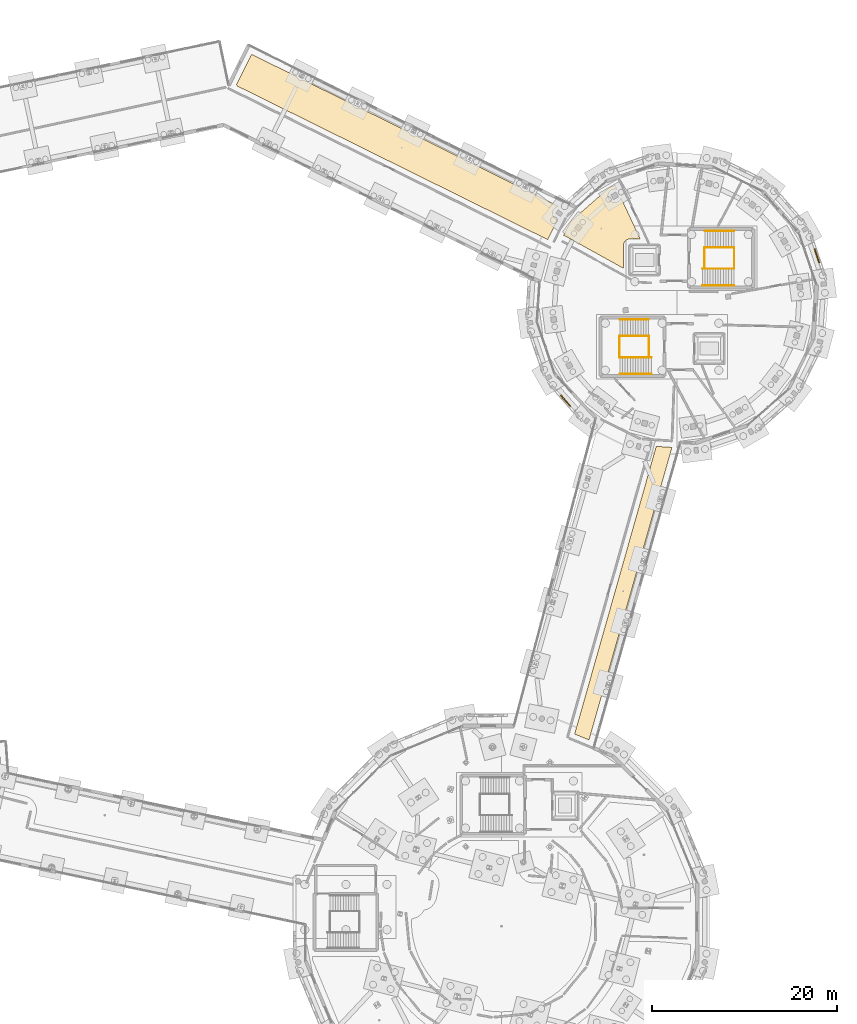
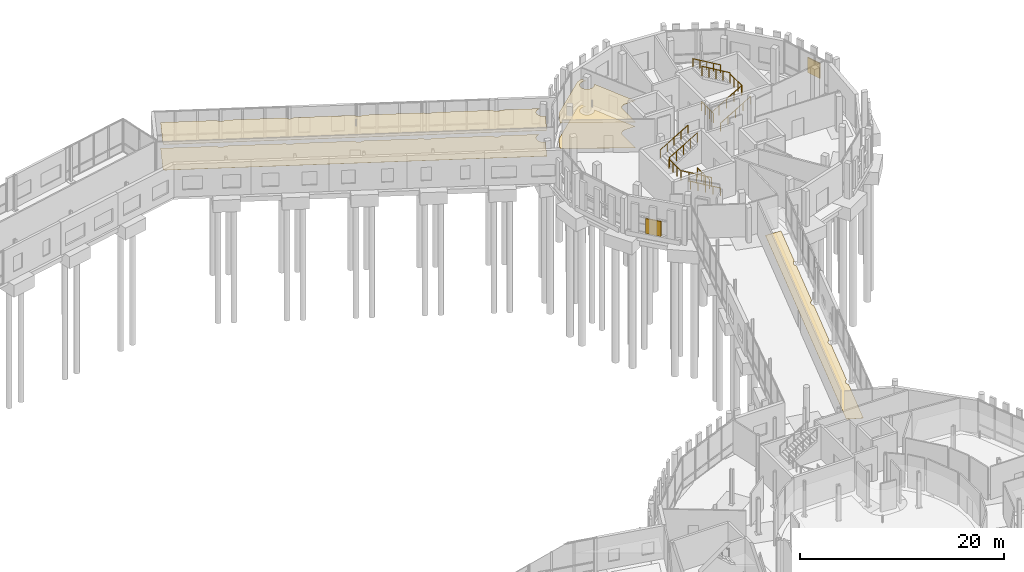
# One storey, part 112 of 113: 12 railings, 5 coverings, 2 shading devices.
"""IFC4 building model written with IfcOpenShell, lengths in metres."""

from ifc_helpers import new_model, si_unit, direction, frame, origin, origin_2d, place, context, subcontext, project, spatial, polyline, rectangle, circle, outline, extrude, material, layer, layer_set, type_object, element, save


model = new_model("IFC4")

# Units and contexts
model_context = context("Model", 3, precision=1e-05, world=origin(), true_north=direction((0.0, 1.0)))
body_context = subcontext(model_context, "Body", "Model", "MODEL_VIEW")
ifc_project = project(units=[si_unit("LENGTHUNIT", "METRE"), si_unit("AREAUNIT", "SQUARE_METRE"), si_unit("VOLUMEUNIT", "CUBIC_METRE"), si_unit("PLANEANGLEUNIT", "RADIAN"), si_unit("MASSUNIT", "GRAM", prefix="KILO")], contexts=[model_context])

# Site, building, storey
site_placement = place(None, origin())
site = spatial("IfcSite", under=ifc_project, at=site_placement, CompositionType="ELEMENT")
building_placement = place(site_placement, origin())
building = spatial("IfcBuilding", under=site, at=building_placement, Name="Wrenclough Park School", CompositionType="ELEMENT")
storey_placement = place(building_placement, origin())
storey = spatial("IfcBuildingStorey", under=building, at=storey_placement, Name="L00", CompositionType="ELEMENT", Elevation=0.0)

# Shading devices
ifc_material_1 = material(Name="Perforated Manchester multi-stock and Staffordshire blue-grey brick screen", Category="masonry")
ifc_layer_1 = layer(ifc_material_1, 0.114990234375)
ifc_layer_set_1 = layer_set([ifc_layer_1], Name="Perforated Manchester multi-stock and Staffordshire blue-grey brick screen")
shading_device_type_1 = type_object("IfcShadingDeviceType", Name="ENV-BS-01", PredefinedType="USERDEFINED", material=ifc_layer_set_1)
shading_device_1_placement = place(storey_placement, frame((162.45458984375, 82.936767578125, 0.52978515625), z_axis=(0.0, 0.0, 1.0), x_axis=(0.659348912876, -0.751837090791, 0.0)))
element("IfcShadingDevice", 1, at=shading_device_1_placement, inside=storey, type_object=shading_device_type_1, Name="D5 L00 acoustic open-bond brick baffle 012", ObjectType="PERFORATED BRICK SCREEN", PredefinedType="USERDEFINED", context=body_context, shape_type="SweptSolid", body=[
    extrude(rectangle(XDim=1.60009765625, YDim=0.114990234375, at=origin_2d()), origin(), (0.0, 0.0, 1.0), 1.800048828125),
])
ifc_layer_2 = layer(ifc_material_1, 0.114990234375)
ifc_layer_set_2 = layer_set([ifc_layer_2], Name="Perforated Manchester multi-stock and Staffordshire blue-grey brick screen")
shading_device_type_2 = type_object("IfcShadingDeviceType", Name="ENV-BS-03", PredefinedType="USERDEFINED", material=ifc_layer_set_2)
shading_device_2_placement = place(storey_placement, frame((189.6708984375, 98.649658203125, 0.52978515625), z_axis=(0.0, 0.0, 1.0), x_axis=(-0.321426842345, 0.946934414318, 0.0)))
element("IfcShadingDevice", 2, at=shading_device_2_placement, inside=storey, type_object=shading_device_type_2, Name="D5 L00 acoustic open-bond brick baffle 011", ObjectType="PERFORATED BRICK SCREEN", PredefinedType="USERDEFINED", context=body_context, shape_type="SweptSolid", body=[
    extrude(rectangle(XDim=1.60009765625, YDim=0.114990234375, at=origin_2d()), origin(), (0.0, 0.0, 1.0), 1.800048828125),
])

# Coverings
ifc_material_2 = material(Name="Class A mineral-fibre acoustic ceiling raft", Category="gypsum")
ifc_layer_3 = layer(ifc_material_2, 0.044921875)
ifc_layer_set_3 = layer_set([ifc_layer_3], Name="Class A mineral-fibre acoustic ceiling raft")
covering_type_1 = type_object("IfcCoveringType", Name="INT-COV-CEIL", PredefinedType="CEILING", material=ifc_layer_set_3)
covering_1_placement = place(storey_placement, frame((0.0, 0.0, 3.054931640625)))
element("IfcCovering", 3, at=covering_1_placement, inside=storey, type_object=covering_type_1, Name="Main Reception and Administration Office acoustic ceiling raft", PredefinedType="CEILING", context=body_context, shape_type="SweptSolid", body=[
    extrude(outline(polyline([(162.969970703125, 102.347412109375), (162.237548828125, 100.862060546875), (162.343994140625, 100.8251953125), (162.40283203125, 100.79638671875), (168.72998046875, 97.28515625), (168.72998046875, 99.820068359375), (168.742431640625, 99.94677734375), (168.779541015625, 100.068603515625), (168.806884765625, 100.12646484375), (168.87744140625, 100.232421875), (168.92041015625, 100.279541015625), (169.018798828125, 100.360595703125), (169.13134765625, 100.42041015625), (169.253173828125, 100.45751953125), (169.3798828125, 100.469970703125), (170.53271484375, 100.469970703125), (168.45751953125, 104.92041015625), (168.409912109375, 104.80859375), (168.33154296875, 104.691162109375), (168.231689453125, 104.59130859375), (168.175048828125, 104.54931640625), (168.050537109375, 104.48291015625), (167.98388671875, 104.458984375), (167.91552734375, 104.44189453125), (167.77490234375, 104.427978515625), (167.634521484375, 104.44189453125), (167.56591796875, 104.458984375), (167.49951171875, 104.48291015625), (167.375, 104.54931640625), (167.318115234375, 104.59130859375), (167.218505859375, 104.691162109375), (167.139892578125, 104.80859375), (167.10986328125, 104.87255859375), (167.06884765625, 105.007568359375), (167.05859375, 105.077392578125), (167.054931640625, 105.14794921875), (167.06884765625, 105.28857421875), (167.0859375, 105.35693359375), (167.139892578125, 105.4873046875), (167.17626953125, 105.548095703125), (167.265869140625, 105.656982421875), (167.318115234375, 105.70458984375), (167.435546875, 105.782958984375), (167.49951171875, 105.813232421875), (167.634521484375, 105.854248046875), (167.77490234375, 105.867919921875), (167.845703125, 105.864501953125), (167.91552734375, 105.854248046875), (168.039306640625, 105.8173828125), (167.82080078125, 106.28564453125), (167.2333984375, 106.086181640625), (162.969970703125, 102.347412109375)])), origin(), (0.0, 0.0, 1.0), 0.045166015625),
])
covering_2_placement = place(storey_placement, frame((0.0, 0.0, 3.054931640625)))
element("IfcCovering", 4, at=covering_2_placement, inside=storey, type_object=covering_type_1, Name="Sixth Form Tutorial Classroom L00 acoustic ceiling raft", PredefinedType="CEILING", context=body_context, shape_type="SweptSolid", body=[
    extrude(outline(polyline([(126.864501953125, 117.08837890625), (126.89208984375, 117.0361328125), (160.505859375, 100.402587890625), (161.578857421875, 102.576904296875), (161.491455078125, 102.605712890625), (161.366943359375, 102.67236328125), (161.2578125, 102.761962890625), (161.168212890625, 102.87109375), (161.101806640625, 102.99560546875), (161.060791015625, 103.130615234375), (161.047119140625, 103.27099609375), (161.050537109375, 103.341552734375), (161.077880859375, 103.47998046875), (161.132080078125, 103.6103515625), (161.168212890625, 103.6708984375), (161.2578125, 103.780029296875), (161.366943359375, 103.86962890625), (161.491455078125, 103.936279296875), (161.62646484375, 103.977294921875), (161.755615234375, 103.990478515625), (158.351806640625, 105.6748046875), (158.23779296875, 105.63818359375), (158.131103515625, 105.627685546875), (158.024169921875, 105.63818359375), (157.921630859375, 105.66943359375), (157.873046875, 105.6923828125), (157.78369140625, 105.751953125), (157.7080078125, 105.827880859375), (157.648193359375, 105.9169921875), (157.62548828125, 105.965576171875), (157.599609375, 106.047119140625), (152.289306640625, 108.6748046875), (152.1748046875, 108.63818359375), (152.068115234375, 108.627685546875), (151.961181640625, 108.63818359375), (151.858642578125, 108.66943359375), (151.81005859375, 108.6923828125), (151.720703125, 108.751953125), (151.64501953125, 108.827880859375), (151.585205078125, 108.9169921875), (151.5625, 108.965576171875), (151.536376953125, 109.04736328125), (146.226806640625, 111.6748046875), (146.11279296875, 111.63818359375), (146.006103515625, 111.627685546875), (145.899169921875, 111.63818359375), (145.796630859375, 111.66943359375), (145.748046875, 111.6923828125), (145.65869140625, 111.751953125), (145.5830078125, 111.827880859375), (145.523193359375, 111.9169921875), (145.50048828125, 111.965576171875), (145.474609375, 112.047119140625), (140.164306640625, 114.6748046875), (140.0498046875, 114.63818359375), (139.943115234375, 114.627685546875), (139.836181640625, 114.63818359375), (139.733642578125, 114.66943359375), (139.68505859375, 114.6923828125), (139.595703125, 114.751953125), (139.52001953125, 114.827880859375), (139.460205078125, 114.9169921875), (139.4375, 114.965576171875), (139.411376953125, 115.04736328125), (134.101806640625, 117.6748046875), (133.98779296875, 117.63818359375), (133.881103515625, 117.627685546875), (133.774169921875, 117.63818359375), (133.671630859375, 117.66943359375), (133.623046875, 117.6923828125), (133.53369140625, 117.751953125), (133.4580078125, 117.827880859375), (133.398193359375, 117.9169921875), (133.37548828125, 117.965576171875), (133.349609375, 118.047119140625), (128.425048828125, 120.48388671875), (126.79296875, 117.185791015625), (126.864501953125, 117.08837890625)])), origin(), (0.0, 0.0, 1.0), 0.045166015625),
])
ifc_material_3 = material(Name="Acoustic natural linoleum school flooring", Category="wood")
ifc_layer_4 = layer(ifc_material_3, 0.014892578125)
ifc_layer_set_4 = layer_set([ifc_layer_4], Name="Acoustic natural linoleum school flooring")
covering_type_2 = type_object("IfcCoveringType", Name="INT-COV-FLOOR1", PredefinedType="FLOORING", material=ifc_layer_set_4)
covering_3_placement = place(storey_placement, origin())
element("IfcCovering", 5, at=covering_3_placement, inside=storey, type_object=covering_type_2, Name="Main Reception and Administration Office floor finish", PredefinedType="FLOORING", context=body_context, shape_type="SweptSolid", body=[
    extrude(outline(polyline([(162.969970703125, 102.347412109375), (162.237548828125, 100.862060546875), (162.343994140625, 100.8251953125), (162.40283203125, 100.79638671875), (168.72998046875, 97.28515625), (168.72998046875, 99.820068359375), (168.742431640625, 99.94677734375), (168.779541015625, 100.068603515625), (168.806884765625, 100.12646484375), (168.87744140625, 100.232421875), (168.92041015625, 100.279541015625), (169.018798828125, 100.360595703125), (169.13134765625, 100.42041015625), (169.253173828125, 100.45751953125), (169.3798828125, 100.469970703125), (170.53271484375, 100.469970703125), (168.45751953125, 104.92041015625), (168.409912109375, 104.80859375), (168.33154296875, 104.691162109375), (168.231689453125, 104.59130859375), (168.175048828125, 104.54931640625), (168.050537109375, 104.48291015625), (167.98388671875, 104.458984375), (167.91552734375, 104.44189453125), (167.77490234375, 104.427978515625), (167.634521484375, 104.44189453125), (167.56591796875, 104.458984375), (167.49951171875, 104.48291015625), (167.375, 104.54931640625), (167.318115234375, 104.59130859375), (167.218505859375, 104.691162109375), (167.139892578125, 104.80859375), (167.10986328125, 104.87255859375), (167.06884765625, 105.007568359375), (167.05859375, 105.077392578125), (167.054931640625, 105.14794921875), (167.06884765625, 105.28857421875), (167.0859375, 105.35693359375), (167.139892578125, 105.4873046875), (167.17626953125, 105.548095703125), (167.265869140625, 105.656982421875), (167.318115234375, 105.70458984375), (167.435546875, 105.782958984375), (167.49951171875, 105.813232421875), (167.634521484375, 105.854248046875), (167.77490234375, 105.867919921875), (167.845703125, 105.864501953125), (167.91552734375, 105.854248046875), (168.039306640625, 105.8173828125), (167.82080078125, 106.28564453125), (167.2333984375, 106.086181640625), (162.969970703125, 102.347412109375)])), origin(), (0.0, 0.0, 1.0), 0.014892578125),
])
covering_4_placement = place(storey_placement, origin())
element("IfcCovering", 6, at=covering_4_placement, inside=storey, type_object=covering_type_2, Name="Park View Seminar Classroom L00 floor finish", PredefinedType="FLOORING", context=body_context, shape_type="SweptSolid", body=[
    extrude(outline(polyline([(163.4306640625, 46.845947265625), (164.985107421875, 46.2021484375), (166.5927734375, 51.87158203125), (166.538330078125, 51.9716796875), (166.507080078125, 52.07421875), (166.49658203125, 52.180908203125), (166.507080078125, 52.287841796875), (166.520263671875, 52.33984375), (166.561279296875, 52.43896484375), (166.620849609375, 52.5283203125), (166.69677734375, 52.60400390625), (166.739990234375, 52.635986328125), (166.822265625, 52.680908203125), (168.4931640625, 58.57275390625), (168.439453125, 58.671630859375), (168.408203125, 58.774169921875), (168.397705078125, 58.881103515625), (168.408203125, 58.98779296875), (168.42138671875, 59.039794921875), (168.46240234375, 59.138916015625), (168.52197265625, 59.228271484375), (168.597900390625, 59.30419921875), (168.640869140625, 59.336181640625), (168.72216796875, 59.38037109375), (170.39306640625, 65.272705078125), (170.33935546875, 65.37158203125), (170.30810546875, 65.47412109375), (170.297607421875, 65.5810546875), (170.30810546875, 65.687744140625), (170.3212890625, 65.739990234375), (170.3623046875, 65.839111328125), (170.421875, 65.92822265625), (170.497802734375, 66.004150390625), (170.541015625, 66.0361328125), (170.622314453125, 66.080322265625), (172.29296875, 71.9716796875), (172.23828125, 72.071533203125), (172.207275390625, 72.17431640625), (172.19677734375, 72.281005859375), (172.207275390625, 72.3876953125), (172.22021484375, 72.43994140625), (172.26123046875, 72.5390625), (172.32080078125, 72.628173828125), (172.396728515625, 72.7041015625), (172.43994140625, 72.736083984375), (172.522216796875, 72.781005859375), (173.97314453125, 77.89697265625), (172.265380859375, 78.0087890625), (163.4306640625, 46.845947265625)])), origin(), (0.0, 0.0, 1.0), 0.014892578125),
])
covering_5_placement = place(storey_placement, origin())
element("IfcCovering", 7, at=covering_5_placement, inside=storey, type_object=covering_type_2, Name="Sixth Form Tutorial Classroom L00 floor finish", PredefinedType="FLOORING", context=body_context, shape_type="SweptSolid", body=[
    extrude(outline(polyline([(126.864501953125, 117.08837890625), (126.89208984375, 117.0361328125), (160.505859375, 100.402587890625), (161.578857421875, 102.576904296875), (161.491455078125, 102.605712890625), (161.366943359375, 102.67236328125), (161.2578125, 102.761962890625), (161.168212890625, 102.87109375), (161.101806640625, 102.99560546875), (161.060791015625, 103.130615234375), (161.047119140625, 103.27099609375), (161.050537109375, 103.341552734375), (161.077880859375, 103.47998046875), (161.132080078125, 103.6103515625), (161.168212890625, 103.6708984375), (161.2578125, 103.780029296875), (161.366943359375, 103.86962890625), (161.491455078125, 103.936279296875), (161.62646484375, 103.977294921875), (161.755615234375, 103.990478515625), (158.351806640625, 105.6748046875), (158.23779296875, 105.63818359375), (158.131103515625, 105.627685546875), (158.024169921875, 105.63818359375), (157.921630859375, 105.66943359375), (157.873046875, 105.6923828125), (157.78369140625, 105.751953125), (157.7080078125, 105.827880859375), (157.648193359375, 105.9169921875), (157.62548828125, 105.965576171875), (157.599609375, 106.047119140625), (152.289306640625, 108.6748046875), (152.1748046875, 108.63818359375), (152.068115234375, 108.627685546875), (151.961181640625, 108.63818359375), (151.858642578125, 108.66943359375), (151.81005859375, 108.6923828125), (151.720703125, 108.751953125), (151.64501953125, 108.827880859375), (151.585205078125, 108.9169921875), (151.5625, 108.965576171875), (151.536376953125, 109.04736328125), (146.226806640625, 111.6748046875), (146.11279296875, 111.63818359375), (146.006103515625, 111.627685546875), (145.899169921875, 111.63818359375), (145.796630859375, 111.66943359375), (145.748046875, 111.6923828125), (145.65869140625, 111.751953125), (145.5830078125, 111.827880859375), (145.523193359375, 111.9169921875), (145.50048828125, 111.965576171875), (145.474609375, 112.047119140625), (140.164306640625, 114.6748046875), (140.0498046875, 114.63818359375), (139.943115234375, 114.627685546875), (139.836181640625, 114.63818359375), (139.733642578125, 114.66943359375), (139.68505859375, 114.6923828125), (139.595703125, 114.751953125), (139.52001953125, 114.827880859375), (139.460205078125, 114.9169921875), (139.4375, 114.965576171875), (139.411376953125, 115.04736328125), (134.101806640625, 117.6748046875), (133.98779296875, 117.63818359375), (133.881103515625, 117.627685546875), (133.774169921875, 117.63818359375), (133.671630859375, 117.66943359375), (133.623046875, 117.6923828125), (133.53369140625, 117.751953125), (133.4580078125, 117.827880859375), (133.398193359375, 117.9169921875), (133.37548828125, 117.965576171875), (133.349609375, 118.047119140625), (128.425048828125, 120.48388671875), (126.79296875, 117.185791015625), (126.864501953125, 117.08837890625)])), origin(), (0.0, 0.0, 1.0), 0.014892578125),
])

# Railings
ifc_material_4 = material(Name="Powder-coated steel vertical-baluster stair and atrium guard", Category="steel")
railing_type_1 = type_object("IfcRailingType", Name="INT-RL-GD1120", PredefinedType="GUARDRAIL", material=ifc_material_4)
railing_1_placement = place(storey_placement, frame((171.4951171875, 87.64990234375, 0.0)))
element("IfcRailing", 8, at=railing_1_placement, inside=storey, type_object=railing_type_1, Name="ST-05 L00 well guard 1", PredefinedType="GUARDRAIL", context=body_context, shape_type="SweptSolid", body=[
    extrude(circle(Radius=0.02392578125, at=origin_2d()), frame((0.0, 0.0, 1.09619140625), z_axis=(0.0, 1.0, 0.0), x_axis=(-1.0, 0.0, 0.0)), (0.0, 0.0, 1.0), 2.300048828125),
    extrude(circle(Radius=0.02099609375, at=origin_2d()), origin(), (0.0, 0.0, 1.0), 1.072021484375),
    extrude(circle(Radius=0.02099609375, at=origin_2d()), frame((0.0, 0.7666015625, 0.0)), (0.0, 0.0, 1.0), 1.072021484375),
    extrude(circle(Radius=0.02099609375, at=origin_2d()), frame((0.0, 1.533447265625, 0.0)), (0.0, 0.0, 1.0), 1.072021484375),
    extrude(circle(Radius=0.02099609375, at=origin_2d()), frame((0.0, 2.300048828125, 0.0)), (0.0, 0.0, 1.0), 1.072021484375),
])
railing_2_placement = place(storey_placement, frame((171.739990234375, 87.64990234375, 0.16796875)))
element("IfcRailing", 9, at=railing_2_placement, inside=storey, type_object=railing_type_1, Name="ST-05 L00 well guard 2", PredefinedType="GUARDRAIL", context=body_context, shape_type="SweptSolid", body=[
    extrude(circle(Radius=0.02392578125, at=origin_2d()), frame((0.0, 0.0, 1.09619140625), z_axis=(-0.861450067461, 0.0, 0.507842279918), x_axis=(0.0, -1.0, 0.0)), (0.0, 0.0, 1.0), 3.969970703125),
    extrude(circle(Radius=0.02099609375, at=origin_2d()), origin(), (0.0, 0.0, 1.0), 1.072021484375),
    extrude(circle(Radius=0.02099609375, at=origin_2d()), frame((-0.85498046875, 0.0, 0.50390625)), (0.0, 0.0, 1.0), 1.072021484375),
    extrude(circle(Radius=0.02099609375, at=origin_2d()), frame((-1.7099609375, 0.0, 1.008056640625)), (0.0, 0.0, 1.0), 1.072021484375),
    extrude(circle(Radius=0.02099609375, at=origin_2d()), frame((-2.56494140625, 0.0, 1.51220703125)), (0.0, 0.0, 1.0), 1.072021484375),
    extrude(circle(Radius=0.02099609375, at=origin_2d()), frame((-3.419921875, 0.0, 2.01611328125)), (0.0, 0.0, 1.0), 1.072021484375),
])
railing_3_placement = place(storey_placement, frame((168.280029296875, 87.64990234375, 2.18408203125)))
element("IfcRailing", 10, at=railing_3_placement, inside=storey, type_object=railing_type_1, Name="ST-05 L00 well guard 3", PredefinedType="GUARDRAIL", context=body_context, shape_type="SweptSolid", body=[
    extrude(circle(Radius=0.02392578125, at=origin_2d()), frame((0.0, 0.0, 1.09619140625), z_axis=(0.0, 1.0, 0.0), x_axis=(-1.0, 0.0, 0.0)), (0.0, 0.0, 1.0), 2.300048828125),
    extrude(circle(Radius=0.02099609375, at=origin_2d()), origin(), (0.0, 0.0, 1.0), 1.072021484375),
    extrude(circle(Radius=0.02099609375, at=origin_2d()), frame((0.0, 0.7666015625, 0.0)), (0.0, 0.0, 1.0), 1.072021484375),
    extrude(circle(Radius=0.02099609375, at=origin_2d()), frame((0.0, 1.533447265625, 0.0)), (0.0, 0.0, 1.0), 1.072021484375),
    extrude(circle(Radius=0.02099609375, at=origin_2d()), frame((0.0, 2.300048828125, 0.0)), (0.0, 0.0, 1.0), 1.072021484375),
])
railing_4_placement = place(storey_placement, frame((168.320068359375, 89.949951171875, 2.35205078125)))
element("IfcRailing", 11, at=railing_4_placement, inside=storey, type_object=railing_type_1, Name="ST-05 L00 well guard 4", PredefinedType="GUARDRAIL", context=body_context, shape_type="SweptSolid", body=[
    extrude(circle(Radius=0.02392578125, at=origin_2d()), frame((0.0, 0.0, 1.09619140625), z_axis=(0.861480291558, 0.0, 0.50779100746), x_axis=(0.0, 1.0, 0.0)), (0.0, 0.0, 1.0), 3.63916015625),
    extrude(circle(Radius=0.02099609375, at=origin_2d()), origin(), (0.0, 0.0, 1.0), 1.072021484375),
    extrude(circle(Radius=0.02099609375, at=origin_2d()), frame((0.78369140625, 0.0, 0.4619140625)), (0.0, 0.0, 1.0), 1.072021484375),
    extrude(circle(Radius=0.02099609375, at=origin_2d()), frame((1.5673828125, 0.0, 0.923828125)), (0.0, 0.0, 1.0), 1.072021484375),
    extrude(circle(Radius=0.02099609375, at=origin_2d()), frame((2.351318359375, 0.0, 1.385986328125)), (0.0, 0.0, 1.0), 1.072021484375),
    extrude(circle(Radius=0.02099609375, at=origin_2d()), frame((3.135009765625, 0.0, 1.847900390625)), (0.0, 0.0, 1.0), 1.072021484375),
])
railing_5_placement = place(storey_placement, frame((177.5048828125, 97.25, 0.0)))
element("IfcRailing", 12, at=railing_5_placement, inside=storey, type_object=railing_type_1, Name="ST-06 L00 well guard 1", PredefinedType="GUARDRAIL", context=body_context, shape_type="SweptSolid", body=[
    extrude(circle(Radius=0.02392578125, at=origin_2d()), frame((0.0, 0.0, 1.09619140625), z_axis=(0.0, 1.0, 0.0), x_axis=(-1.0, 0.0, 0.0)), (0.0, 0.0, 1.0), 2.300048828125),
    extrude(circle(Radius=0.02099609375, at=origin_2d()), origin(), (0.0, 0.0, 1.0), 1.072021484375),
    extrude(circle(Radius=0.02099609375, at=origin_2d()), frame((0.0, 0.7666015625, 0.0)), (0.0, 0.0, 1.0), 1.072021484375),
    extrude(circle(Radius=0.02099609375, at=origin_2d()), frame((0.0, 1.533447265625, 0.0)), (0.0, 0.0, 1.0), 1.072021484375),
    extrude(circle(Radius=0.02099609375, at=origin_2d()), frame((0.0, 2.300048828125, 0.0)), (0.0, 0.0, 1.0), 1.072021484375),
])
railing_6_placement = place(storey_placement, frame((177.260009765625, 97.25, 0.16796875)))
element("IfcRailing", 13, at=railing_6_placement, inside=storey, type_object=railing_type_1, Name="ST-06 L00 well guard 2", PredefinedType="GUARDRAIL", context=body_context, shape_type="SweptSolid", body=[
    extrude(circle(Radius=0.02392578125, at=origin_2d()), frame((0.0, 0.0, 1.09619140625), z_axis=(0.861450067461, 0.0, 0.507842279918), x_axis=(0.0, 1.0, 0.0)), (0.0, 0.0, 1.0), 3.969970703125),
    extrude(circle(Radius=0.02099609375, at=origin_2d()), origin(), (0.0, 0.0, 1.0), 1.072021484375),
    extrude(circle(Radius=0.02099609375, at=origin_2d()), frame((0.85498046875, 0.0, 0.50390625)), (0.0, 0.0, 1.0), 1.072021484375),
    extrude(circle(Radius=0.02099609375, at=origin_2d()), frame((1.7099609375, 0.0, 1.008056640625)), (0.0, 0.0, 1.0), 1.072021484375),
    extrude(circle(Radius=0.02099609375, at=origin_2d()), frame((2.56494140625, 0.0, 1.51220703125)), (0.0, 0.0, 1.0), 1.072021484375),
    extrude(circle(Radius=0.02099609375, at=origin_2d()), frame((3.419921875, 0.0, 2.01611328125)), (0.0, 0.0, 1.0), 1.072021484375),
])
railing_7_placement = place(storey_placement, frame((180.719970703125, 97.25, 2.18408203125)))
element("IfcRailing", 14, at=railing_7_placement, inside=storey, type_object=railing_type_1, Name="ST-06 L00 well guard 3", PredefinedType="GUARDRAIL", context=body_context, shape_type="SweptSolid", body=[
    extrude(circle(Radius=0.02392578125, at=origin_2d()), frame((0.0, 0.0, 1.09619140625), z_axis=(0.0, 1.0, 0.0), x_axis=(-1.0, 0.0, 0.0)), (0.0, 0.0, 1.0), 2.300048828125),
    extrude(circle(Radius=0.02099609375, at=origin_2d()), origin(), (0.0, 0.0, 1.0), 1.072021484375),
    extrude(circle(Radius=0.02099609375, at=origin_2d()), frame((0.0, 0.7666015625, 0.0)), (0.0, 0.0, 1.0), 1.072021484375),
    extrude(circle(Radius=0.02099609375, at=origin_2d()), frame((0.0, 1.533447265625, 0.0)), (0.0, 0.0, 1.0), 1.072021484375),
    extrude(circle(Radius=0.02099609375, at=origin_2d()), frame((0.0, 2.300048828125, 0.0)), (0.0, 0.0, 1.0), 1.072021484375),
])
railing_8_placement = place(storey_placement, frame((180.679931640625, 99.550048828125, 2.35205078125)))
element("IfcRailing", 15, at=railing_8_placement, inside=storey, type_object=railing_type_1, Name="ST-06 L00 well guard 4", PredefinedType="GUARDRAIL", context=body_context, shape_type="SweptSolid", body=[
    extrude(circle(Radius=0.02392578125, at=origin_2d()), frame((0.0, 0.0, 1.09619140625), z_axis=(-0.861480291558, 0.0, 0.50779100746), x_axis=(0.0, -1.0, 0.0)), (0.0, 0.0, 1.0), 3.63916015625),
    extrude(circle(Radius=0.02099609375, at=origin_2d()), origin(), (0.0, 0.0, 1.0), 1.072021484375),
    extrude(circle(Radius=0.02099609375, at=origin_2d()), frame((-0.78369140625, 0.0, 0.4619140625)), (0.0, 0.0, 1.0), 1.072021484375),
    extrude(circle(Radius=0.02099609375, at=origin_2d()), frame((-1.5673828125, 0.0, 0.923828125)), (0.0, 0.0, 1.0), 1.072021484375),
    extrude(circle(Radius=0.02099609375, at=origin_2d()), frame((-2.351318359375, 0.0, 1.385986328125)), (0.0, 0.0, 1.0), 1.072021484375),
    extrude(circle(Radius=0.02099609375, at=origin_2d()), frame((-3.135009765625, 0.0, 1.847900390625)), (0.0, 0.0, 1.0), 1.072021484375),
])
ifc_material_5 = material(Name="Brushed stainless steel tubular handrail", Category="steel")
railing_type_2 = type_object("IfcRailingType", Name="INT-RL-HR950", PredefinedType="HANDRAIL", material=ifc_material_5)
railing_9_placement = place(storey_placement, frame((171.739990234375, 85.85009765625, 0.16796875)))
element("IfcRailing", 16, at=railing_9_placement, inside=storey, type_object=railing_type_2, Name="ST-05 L00 pitch handrail 1", PredefinedType="HANDRAIL", context=body_context, shape_type="SweptSolid", body=[
    extrude(circle(Radius=0.02392578125, at=origin_2d()), frame((0.0, 0.0, 0.92578125), z_axis=(-0.861450067461, 0.0, 0.507842279918), x_axis=(0.0, -1.0, 0.0)), (0.0, 0.0, 1.0), 3.969970703125),
    extrude(circle(Radius=0.02099609375, at=origin_2d()), origin(), (0.0, 0.0, 1.0), 0.90185546875),
    extrude(circle(Radius=0.02099609375, at=origin_2d()), frame((-0.85498046875, 0.0, 0.50390625)), (0.0, 0.0, 1.0), 0.90185546875),
    extrude(circle(Radius=0.02099609375, at=origin_2d()), frame((-1.7099609375, 0.0, 1.008056640625)), (0.0, 0.0, 1.0), 0.90185546875),
    extrude(circle(Radius=0.02099609375, at=origin_2d()), frame((-2.56494140625, 0.0, 1.51220703125)), (0.0, 0.0, 1.0), 0.90185546875),
    extrude(circle(Radius=0.02099609375, at=origin_2d()), frame((-3.419921875, 0.0, 2.01611328125)), (0.0, 0.0, 1.0), 0.90185546875),
])
railing_10_placement = place(storey_placement, frame((168.320068359375, 91.75, 2.35205078125)))
element("IfcRailing", 17, at=railing_10_placement, inside=storey, type_object=railing_type_2, Name="ST-05 L00 pitch handrail 2", PredefinedType="HANDRAIL", context=body_context, shape_type="SweptSolid", body=[
    extrude(circle(Radius=0.02392578125, at=origin_2d()), frame((0.0, 0.0, 0.92578125), z_axis=(0.861480291558, 0.0, 0.50779100746), x_axis=(0.0, 1.0, 0.0)), (0.0, 0.0, 1.0), 3.63916015625),
    extrude(circle(Radius=0.02099609375, at=origin_2d()), origin(), (0.0, 0.0, 1.0), 0.90185546875),
    extrude(circle(Radius=0.02099609375, at=origin_2d()), frame((0.78369140625, 0.0, 0.4619140625)), (0.0, 0.0, 1.0), 0.90185546875),
    extrude(circle(Radius=0.02099609375, at=origin_2d()), frame((1.5673828125, 0.0, 0.923828125)), (0.0, 0.0, 1.0), 0.90185546875),
    extrude(circle(Radius=0.02099609375, at=origin_2d()), frame((2.351318359375, 0.0, 1.385986328125)), (0.0, 0.0, 1.0), 0.90185546875),
    extrude(circle(Radius=0.02099609375, at=origin_2d()), frame((3.135009765625, 0.0, 1.847900390625)), (0.0, 0.0, 1.0), 0.90185546875),
])
railing_11_placement = place(storey_placement, frame((177.260009765625, 95.449951171875, 0.16796875)))
element("IfcRailing", 18, at=railing_11_placement, inside=storey, type_object=railing_type_2, Name="ST-06 L00 pitch handrail 1", PredefinedType="HANDRAIL", context=body_context, shape_type="SweptSolid", body=[
    extrude(circle(Radius=0.02392578125, at=origin_2d()), frame((0.0, 0.0, 0.92578125), z_axis=(0.861450067461, 0.0, 0.507842279918), x_axis=(0.0, 1.0, 0.0)), (0.0, 0.0, 1.0), 3.969970703125),
    extrude(circle(Radius=0.02099609375, at=origin_2d()), origin(), (0.0, 0.0, 1.0), 0.90185546875),
    extrude(circle(Radius=0.02099609375, at=origin_2d()), frame((0.85498046875, 0.0, 0.50390625)), (0.0, 0.0, 1.0), 0.90185546875),
    extrude(circle(Radius=0.02099609375, at=origin_2d()), frame((1.7099609375, 0.0, 1.008056640625)), (0.0, 0.0, 1.0), 0.90185546875),
    extrude(circle(Radius=0.02099609375, at=origin_2d()), frame((2.56494140625, 0.0, 1.51220703125)), (0.0, 0.0, 1.0), 0.90185546875),
    extrude(circle(Radius=0.02099609375, at=origin_2d()), frame((3.419921875, 0.0, 2.01611328125)), (0.0, 0.0, 1.0), 0.90185546875),
])
railing_12_placement = place(storey_placement, frame((180.679931640625, 101.35009765625, 2.35205078125)))
element("IfcRailing", 19, at=railing_12_placement, inside=storey, type_object=railing_type_2, Name="ST-06 L00 pitch handrail 2", PredefinedType="HANDRAIL", context=body_context, shape_type="SweptSolid", body=[
    extrude(circle(Radius=0.02392578125, at=origin_2d()), frame((0.0, 0.0, 0.92578125), z_axis=(-0.861480291558, 0.0, 0.50779100746), x_axis=(0.0, -1.0, 0.0)), (0.0, 0.0, 1.0), 3.63916015625),
    extrude(circle(Radius=0.02099609375, at=origin_2d()), origin(), (0.0, 0.0, 1.0), 0.90185546875),
    extrude(circle(Radius=0.02099609375, at=origin_2d()), frame((-0.78369140625, 0.0, 0.4619140625)), (0.0, 0.0, 1.0), 0.90185546875),
    extrude(circle(Radius=0.02099609375, at=origin_2d()), frame((-1.5673828125, 0.0, 0.923828125)), (0.0, 0.0, 1.0), 0.90185546875),
    extrude(circle(Radius=0.02099609375, at=origin_2d()), frame((-2.351318359375, 0.0, 1.385986328125)), (0.0, 0.0, 1.0), 0.90185546875),
    extrude(circle(Radius=0.02099609375, at=origin_2d()), frame((-3.135009765625, 0.0, 1.847900390625)), (0.0, 0.0, 1.0), 0.90185546875),
])

save(model, "model.ifc")
